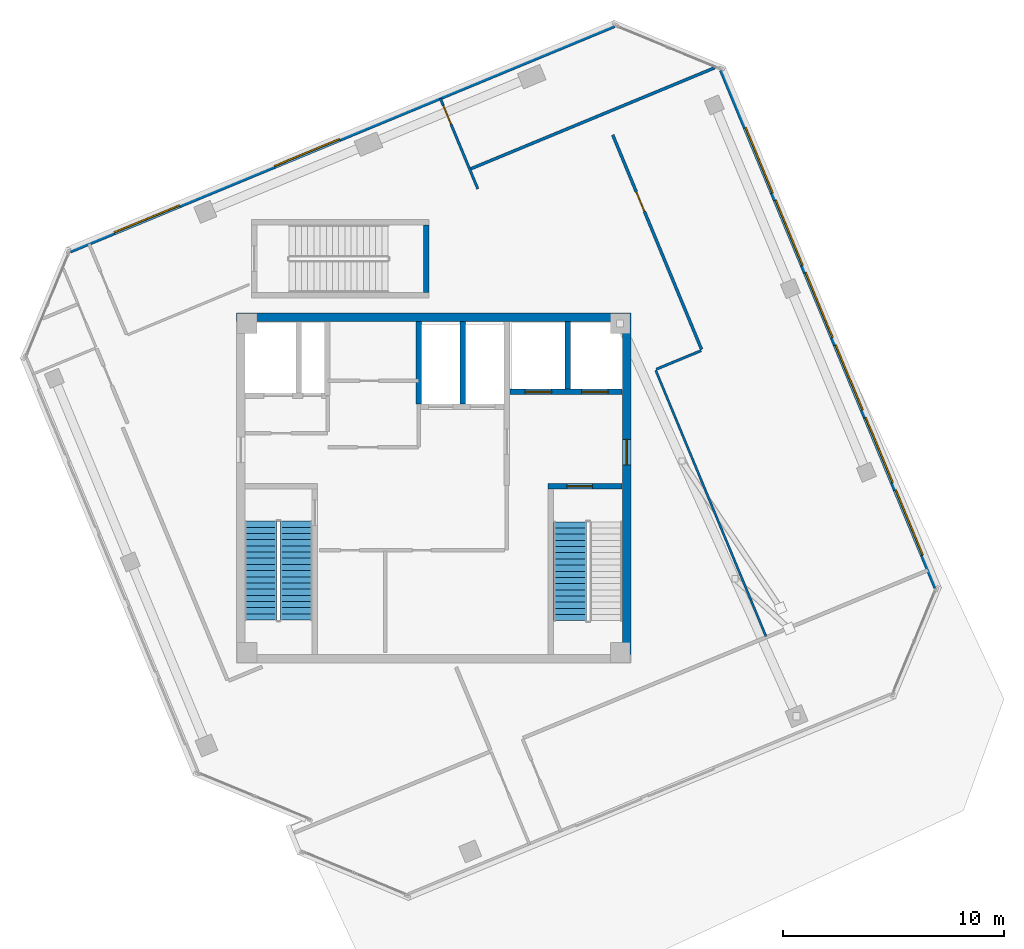
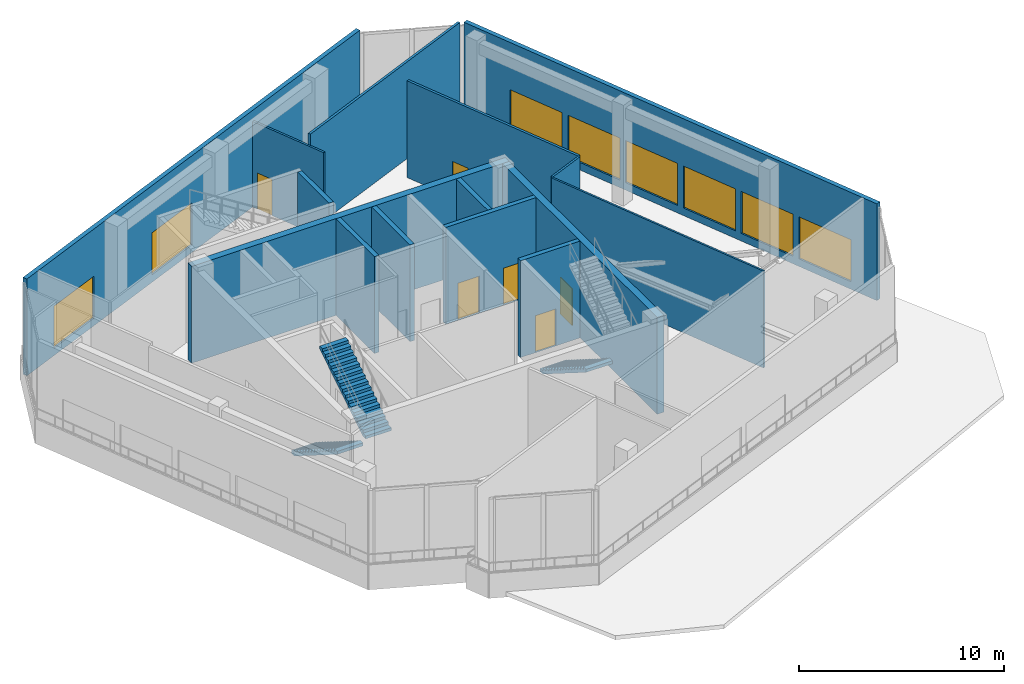
# One storey, part 9 of 16: 15 walls, 8 windows, 6 doors, 3 stair flights, 14 openings, 2 elements without a shape of their own.
"""IFC4 building model written with IfcOpenShell, lengths in metres."""

from ifc_helpers import new_model, si_unit, direction, frame, frame_2d, origin, place, context, subcontext, project, spatial, polyline, rectangle, outline, extrude, source, transform, mapped, material, layer, layer_set, type_object, element, fill, aggregate, save


model = new_model("IFC4")

# Units and contexts
model_context = context("Model", 3, precision=1e-05, world=origin(), true_north=direction((0.0, 1.0)))
body_context = subcontext(model_context, "Body", "Model", "MODEL_VIEW")
ifc_project = project(units=[si_unit("LENGTHUNIT", "METRE"), si_unit("AREAUNIT", "SQUARE_METRE"), si_unit("VOLUMEUNIT", "CUBIC_METRE"), si_unit("PLANEANGLEUNIT", "RADIAN"), si_unit("MASSUNIT", "GRAM", prefix="KILO")], contexts=[model_context])

# Site, building, storey
site_placement = place(None, origin())
site = spatial("IfcSite", under=ifc_project, at=site_placement, CompositionType="ELEMENT")
building_placement = place(site_placement, origin())
building = spatial("IfcBuilding", under=site, at=building_placement, Name="Torre Montelarca", CompositionType="ELEMENT")
storey_placement = place(building_placement, frame((0.0, 0.0, 349.199951171875)))
storey = spatial("IfcBuildingStorey", under=building, at=storey_placement, Name="L79", CompositionType="ELEMENT", Elevation=349.199951171875)

# Wall, opening, door
ifc_material_1 = material(Name="Concrete C40/50", Category="concrete")
ifc_layer_1 = layer(ifc_material_1, 0.25, Name="Concrete C40/50", Category="concrete")
ifc_layer_set_1 = layer_set([ifc_layer_1], Name="Concrete C40/50")
wall_type_1 = type_object("IfcWallType", Name="CW-SHAFT-250", PredefinedType="SHEAR", material=ifc_layer_set_1)
wall_1_placement = place(storey_placement, frame((23.18994140625, 32.074951171875, 0.0), z_axis=(0.0, 0.0, 1.0), x_axis=(1.0, 0.0, 0.0)))
wall_1 = element("IfcWall", 1, at=wall_1_placement, inside=storey, type_object=wall_type_1, Name="L79 Core Shear Wall SH-ST2-N", PredefinedType="SHEAR", context=body_context, shape_type="SweptSolid", body=[
    extrude(rectangle(XDim=3.35009765625, YDim=0.25, at=frame_2d((1.675048828125, 0.0))), origin(), (0.0, 0.0, 1.0), 5.760009765625),
])
opening_1_placement = place(wall_1_placement, frame((0.85009765625, 0.0, 0.0)))
opening_1 = element("IfcOpeningElement", 2, at=opening_1_placement, cuts=wall_1, Name="Opening FD-ST1", PredefinedType="OPENING", context=body_context, shape_type="SweptSolid", body=[
    extrude(rectangle(XDim=1.14990234375, YDim=2.199951171875, at=frame_2d((0.574951171875, 1.10009765625))), frame((0.0, 0.135009765625, 0.0), z_axis=(0.0, -1.0, 0.0), x_axis=(1.0, 0.0, 0.0)), (0.0, 0.0, 1.0), 0.27001953125),
])
ifc_material_2 = material(Name="Galvanized steel fire door", Category="steel")
door_type_1 = type_object("IfcDoorType", Name="DR-STAIR-115", OperationType="NOTDEFINED", PredefinedType="DOOR", material=ifc_material_2)
shared_shape_1 = source(origin(), body_context, "Body", "SweptSolid", [
    extrude(rectangle(XDim=1.14990234375, YDim=2.199951171875, at=frame_2d((0.574951171875, 1.10009765625))), frame((0.0, 0.02490234375, 0.0), z_axis=(0.0, -1.0, 0.0), x_axis=(1.0, 0.0, 0.0)), (0.0, 0.0, 1.0), 0.050048828125),
])
door_1_placement = place(opening_1_placement, origin())
door_1 = element("IfcDoor", 3, at=door_1_placement, inside=storey, type_object=door_type_1, Name="L79 Exit Stair ST2 Fire Door", OperationType="SINGLE_SWING_RIGHT", OverallHeight=2.199951171875, OverallWidth=1.14990234375, PredefinedType="DOOR", context=body_context, shape_type="MappedRepresentation", body=[
    mapped(shared_shape_1, transform((0.0, 0.0, 0.0), scale=1.0)),
])
fill(opening_1, door_1)

# Wall, openings, doors
wall_2_placement = place(storey_placement, frame((21.449951171875, 36.35009765625, 0.0), z_axis=(0.0, 0.0, 1.0), x_axis=(1.0, 0.0, 0.0)))
wall_2 = element("IfcWall", 4, at=wall_2_placement, inside=storey, type_object=wall_type_1, Name="L79 Core Shear Wall SH-FF-S", PredefinedType="SHEAR", context=body_context, shape_type="SweptSolid", body=[
    extrude(rectangle(XDim=5.090087890625, YDim=0.25, at=frame_2d((2.544921875, 0.0))), origin(), (0.0, 0.0, 1.0), 5.760009765625),
])
opening_2_placement = place(wall_2_placement, frame((0.699951171875, 0.0, 0.0)))
opening_2 = element("IfcOpeningElement", 5, at=opening_2_placement, cuts=wall_2, Name="Opening LD-120", PredefinedType="OPENING", context=body_context, shape_type="SweptSolid", body=[
    extrude(rectangle(XDim=1.199951171875, YDim=2.199951171875, at=frame_2d((0.60009765625, 1.10009765625))), frame((0.0, 0.135009765625, 0.0), z_axis=(0.0, -1.0, 0.0), x_axis=(1.0, 0.0, 0.0)), (0.0, 0.0, 1.0), 0.27001953125),
])
opening_3_placement = place(wall_2_placement, frame((3.25, 0.0, 0.0)))
opening_3 = element("IfcOpeningElement", 6, at=opening_3_placement, cuts=wall_2, Name="Opening LD-120", PredefinedType="OPENING", context=body_context, shape_type="SweptSolid", body=[
    extrude(rectangle(XDim=1.199951171875, YDim=2.199951171875, at=frame_2d((0.60009765625, 1.10009765625))), frame((0.0, 0.135009765625, 0.0), z_axis=(0.0, -1.0, 0.0), x_axis=(1.0, 0.0, 0.0)), (0.0, 0.0, 1.0), 0.27001953125),
])
ifc_material_3 = material(Name="Brushed stainless steel AISI 316", Category="steel")
door_type_2 = type_object("IfcDoorType", Name="DR-LIFT-120", OperationType="SLIDING_TO_RIGHT", PredefinedType="DOOR", material=ifc_material_3)
shared_shape_2 = source(origin(), body_context, "Body", "SweptSolid", [
    extrude(rectangle(XDim=1.199951171875, YDim=2.199951171875, at=frame_2d((0.60009765625, 1.10009765625))), frame((0.0, 0.02490234375, 0.0), z_axis=(0.0, -1.0, 0.0), x_axis=(1.0, 0.0, 0.0)), (0.0, 0.0, 1.0), 0.050048828125),
])
door_2_placement = place(opening_2_placement, origin())
door_2 = element("IfcDoor", 7, at=door_2_placement, inside=storey, type_object=door_type_2, Name="L79 Lift Landing Sliding Door FF-1", OperationType="SLIDING_TO_LEFT", OverallHeight=2.199951171875, OverallWidth=1.199951171875, PredefinedType="DOOR", context=body_context, shape_type="MappedRepresentation", body=[
    mapped(shared_shape_2, transform((0.0, 0.0, 0.0), scale=1.0)),
])
fill(opening_2, door_2)
door_3_placement = place(opening_3_placement, origin())
door_3 = element("IfcDoor", 8, at=door_3_placement, inside=storey, type_object=door_type_2, Name="L79 Lift Landing Sliding Door FF-2", OperationType="SLIDING_TO_RIGHT", OverallHeight=2.199951171875, OverallWidth=1.199951171875, PredefinedType="DOOR", context=body_context, shape_type="MappedRepresentation", body=[
    mapped(shared_shape_2, transform((0.0, 0.0, 0.0), scale=1.0)),
])
fill(opening_3, door_3)

# Walls
wall_3_placement = place(storey_placement, frame((24.080078125, 36.47998046875, 0.0), z_axis=(0.0, 0.0, 1.0), x_axis=(0.0, 1.0, 0.0)))
element("IfcWall", 9, at=wall_3_placement, inside=storey, type_object=wall_type_1, Name="L79 Core Shear Wall SH-FF-M", PredefinedType="SHEAR", context=body_context, shape_type="SweptSolid", body=[
    extrude(rectangle(XDim=3.06005859375, YDim=0.25, at=frame_2d((1.530029296875, 0.0))), origin(), (0.0, 0.0, 1.0), 5.760009765625),
])
for number, where, z_axis, x_axis, name in (
    (10, (17.320068359375, 35.81005859375, 0.0), (0.0, 0.0, 1.0), (0.0, 1.0, 0.0), "L79 Core Shear Wall SH-PLH-W"),
    (11, (19.320068359375, 35.81005859375, 0.0), (0.0, 0.0, 1.0), (0.0, 1.0, 0.0), "L79 Core Shear Wall SH-PLH-M"),
):
    element("IfcWall", number, at=place(storey_placement, frame(where, z_axis=z_axis, x_axis=x_axis)), inside=storey, type_object=wall_type_1, Name=name, PredefinedType="SHEAR", context=body_context, shape_type="SweptSolid", body=[
        extrude(rectangle(XDim=3.72998046875, YDim=0.25, at=frame_2d((1.864990234375, 0.0))), origin(), (0.0, 0.0, 1.0), 5.760009765625),
    ])
wall_4_placement = place(storey_placement, frame((17.675048828125, 40.85009765625, 0.0), z_axis=(0.0, 0.0, 1.0), x_axis=(0.0, 1.0, 0.0)))
element("IfcWall", 12, at=wall_4_placement, inside=storey, type_object=wall_type_1, Name="L79 Core Shear Wall SH-ST5-E", PredefinedType="SHEAR", context=body_context, shape_type="SweptSolid", body=[
    extrude(rectangle(XDim=3.06982421875, YDim=0.25, at=frame_2d((1.534912109375, 0.0))), origin(), (0.0, 0.0, 1.0), 5.760009765625),
])

# Wall, opening, door
ifc_layer_2 = layer(ifc_material_1, 0.3798828125, Name="Concrete C40/50", Category="concrete")
ifc_layer_set_2 = layer_set([ifc_layer_2], Name="Concrete C40/50")
wall_type_2 = type_object("IfcWallType", Name="CW-SHEAR-380", PredefinedType="SHEAR", material=ifc_layer_set_2)
wall_5_placement = place(storey_placement, frame((26.739990234375, 24.449951171875, 0.0), z_axis=(0.0, 0.0, 1.0), x_axis=(0.0, 1.0, 0.0)))
wall_5 = element("IfcWall", 13, at=wall_5_placement, inside=storey, type_object=wall_type_2, Name="L79 Core Shear Wall CW-E", PredefinedType="SHEAR", context=body_context, shape_type="SweptSolid", body=[
    extrude(rectangle(XDim=15.10009765625, YDim=0.3798828125, at=frame_2d((7.550048828125, 0.0))), origin(), (0.0, 0.0, 1.0), 5.760009765625),
])
opening_4_placement = place(wall_5_placement, frame((8.60009765625, 0.0, 0.0)))
opening_4 = element("IfcOpeningElement", 14, at=opening_4_placement, cuts=wall_5, Name="Opening FD-LB1", PredefinedType="OPENING", context=body_context, shape_type="SweptSolid", body=[
    extrude(rectangle(XDim=1.14990234375, YDim=2.199951171875, at=frame_2d((0.574951171875, 1.10009765625))), frame((0.0, 0.199951171875, 0.0), z_axis=(0.0, -1.0, 0.0), x_axis=(1.0, 0.0, 0.0)), (0.0, 0.0, 1.0), 0.39990234375),
])
ifc_material_4 = material(Name="Acoustic timber-veneered fire door", Category="wood")
door_type_3 = type_object("IfcDoorType", Name="DR-LOBBY-115", OperationType="NOTDEFINED", PredefinedType="DOOR", material=ifc_material_4)
shared_shape_3 = source(origin(), body_context, "Body", "SweptSolid", [
    extrude(rectangle(XDim=1.14990234375, YDim=2.199951171875, at=frame_2d((0.574951171875, 1.10009765625))), frame((0.0, 0.02490234375, 0.0), z_axis=(0.0, -1.0, 0.0), x_axis=(1.0, 0.0, 0.0)), (0.0, 0.0, 1.0), 0.050048828125),
])
door_4_placement = place(opening_4_placement, origin())
door_4 = element("IfcDoor", 15, at=door_4_placement, inside=storey, type_object=door_type_3, Name="L79 Firefighting Lift Lobby Corridor Fire Door", OperationType="SINGLE_SWING_RIGHT", OverallHeight=2.199951171875, OverallWidth=1.14990234375, PredefinedType="DOOR", context=body_context, shape_type="MappedRepresentation", body=[
    mapped(shared_shape_3, transform((0.0, 0.0, 0.0), scale=1.0)),
])
fill(opening_4, door_4)

# Wall
wall_6_placement = place(storey_placement, frame((9.070068359375, 39.739990234375, 0.0), z_axis=(0.0, 0.0, 1.0), x_axis=(1.0, 0.0, 0.0)))
element("IfcWall", 16, at=wall_6_placement, inside=storey, type_object=wall_type_2, Name="L79 Core Shear Wall CW-N1", PredefinedType="SHEAR", context=body_context, shape_type="SweptSolid", body=[
    extrude(rectangle(XDim=17.85986328125, YDim=0.3798828125, at=frame_2d((8.929931640625, 0.0))), origin(), (0.0, 0.0, 1.0), 5.760009765625),
])

# Wall, openings, windows
ifc_material_5 = material(Name="Architectural perforated terracotta ceramic", Category="masonry")
ifc_layer_3 = layer(ifc_material_5, 0.239990234375, Name="Architectural perforated terracotta ceramic", Category="masonry")
ifc_layer_set_3 = layer_set([ifc_layer_3], Name="Architectural perforated terracotta ceramic")
wall_type_3 = type_object("IfcWallType", Name="EW-CROWN-240", PredefinedType="SOLIDWALL", material=ifc_layer_set_3)
wall_7_placement = place(storey_placement, frame((40.7607421875, 27.49365234375, 0.0), z_axis=(0.0, 0.0, 1.0), x_axis=(-0.382690925775, 0.923876428604, 0.0)))
wall_7 = element("IfcWall", 17, at=wall_7_placement, inside=storey, type_object=wall_type_3, Name="L79 Illuminated Damper Gallery Lantern Wall E08", PredefinedType="SOLIDWALL", context=body_context, shape_type="SweptSolid", body=[
    extrude(rectangle(XDim=25.368408203125, YDim=0.239990234375, at=frame_2d((12.68408203125, 0.0))), origin(), (0.0, 0.0, 1.0), 5.760009765625),
])
opening_5_placement = place(wall_7_placement, frame((1.593994140625, 0.0, 0.449951171875)))
opening_5 = element("IfcOpeningElement", 18, at=opening_5_placement, cuts=wall_7, Name="Opening W-07", PredefinedType="OPENING", context=body_context, shape_type="SweptSolid", body=[
    extrude(rectangle(XDim=3.199951171875, YDim=2.5, at=frame_2d((1.60009765625, 1.25))), frame((0.0, 0.1298828125, 0.0), z_axis=(0.0, -1.0, 0.0), x_axis=(1.0, 0.0, 0.0)), (0.0, 0.0, 1.0), 0.260009765625),
])
opening_6_placement = place(wall_7_placement, frame((5.14404296875, 0.0, 0.449951171875)))
opening_6 = element("IfcOpeningElement", 19, at=opening_6_placement, cuts=wall_7, Name="Opening W-07", PredefinedType="OPENING", context=body_context, shape_type="SweptSolid", body=[
    extrude(rectangle(XDim=3.199951171875, YDim=2.5, at=frame_2d((1.60009765625, 1.25))), frame((0.0, 0.1298828125, 0.0), z_axis=(0.0, -1.0, 0.0), x_axis=(1.0, 0.0, 0.0)), (0.0, 0.0, 1.0), 0.260009765625),
])
opening_7_placement = place(wall_7_placement, frame((8.694091796875, 0.0, 0.449951171875)))
opening_7 = element("IfcOpeningElement", 20, at=opening_7_placement, cuts=wall_7, Name="Opening W-07", PredefinedType="OPENING", context=body_context, shape_type="SweptSolid", body=[
    extrude(rectangle(XDim=3.199951171875, YDim=2.5, at=frame_2d((1.60009765625, 1.25))), frame((0.0, 0.1298828125, 0.0), z_axis=(0.0, -1.0, 0.0), x_axis=(1.0, 0.0, 0.0)), (0.0, 0.0, 1.0), 0.260009765625),
])
opening_8_placement = place(wall_7_placement, frame((12.243896484375, 0.0, 0.449951171875)))
opening_8 = element("IfcOpeningElement", 21, at=opening_8_placement, cuts=wall_7, Name="Opening W-07", PredefinedType="OPENING", context=body_context, shape_type="SweptSolid", body=[
    extrude(rectangle(XDim=3.199951171875, YDim=2.5, at=frame_2d((1.60009765625, 1.25))), frame((0.0, 0.1298828125, 0.0), z_axis=(0.0, -1.0, 0.0), x_axis=(1.0, 0.0, 0.0)), (0.0, 0.0, 1.0), 0.260009765625),
])
opening_9_placement = place(wall_7_placement, frame((15.7939453125, 0.0, 0.449951171875)))
opening_9 = element("IfcOpeningElement", 22, at=opening_9_placement, cuts=wall_7, Name="Opening W-07", PredefinedType="OPENING", context=body_context, shape_type="SweptSolid", body=[
    extrude(rectangle(XDim=3.199951171875, YDim=2.5, at=frame_2d((1.60009765625, 1.25))), frame((0.0, 0.1298828125, 0.0), z_axis=(0.0, -1.0, 0.0), x_axis=(1.0, 0.0, 0.0)), (0.0, 0.0, 1.0), 0.260009765625),
])
opening_10_placement = place(wall_7_placement, frame((19.343994140625, 0.0, 0.449951171875)))
opening_10 = element("IfcOpeningElement", 23, at=opening_10_placement, cuts=wall_7, Name="Opening W-07", PredefinedType="OPENING", context=body_context, shape_type="SweptSolid", body=[
    extrude(rectangle(XDim=3.199951171875, YDim=2.5, at=frame_2d((1.60009765625, 1.25))), frame((0.0, 0.1298828125, 0.0), z_axis=(0.0, -1.0, 0.0), x_axis=(1.0, 0.0, 0.0)), (0.0, 0.0, 1.0), 0.260009765625),
])
ifc_material_6 = material(Name="Insulated low-E laminated glass in aluminium frame", Category="aluminium")
window_type = type_object("IfcWindowType", Name="WIN-W07", PartitioningType="TRIPLE_PANEL_VERTICAL", PredefinedType="WINDOW", material=ifc_material_6)
shared_shape_4 = source(origin(), body_context, "Body", "SweptSolid", [
    extrude(rectangle(XDim=3.199951171875, YDim=2.5, at=frame_2d((1.60009765625, 1.25))), frame((0.0, 0.030029296875, 0.0), z_axis=(0.0, -1.0, 0.0), x_axis=(1.0, 0.0, 0.0)), (0.0, 0.0, 1.0), 0.06005859375),
])
window_1_placement = place(opening_5_placement, origin())
window_1 = element("IfcWindow", 24, at=window_1_placement, inside=storey, type_object=window_type, Name="L79 Glowing Damper Lantern Ribbon Window E08-1", OverallHeight=2.5, OverallWidth=3.199951171875, PartitioningType="TRIPLE_PANEL_VERTICAL", PredefinedType="WINDOW", context=body_context, shape_type="MappedRepresentation", body=[
    mapped(shared_shape_4, transform((0.0, 0.0, 0.0), scale=1.0)),
])
fill(opening_5, window_1)
window_2_placement = place(opening_6_placement, origin())
window_2 = element("IfcWindow", 25, at=window_2_placement, inside=storey, type_object=window_type, Name="L79 Glowing Damper Lantern Ribbon Window E08-2", OverallHeight=2.5, OverallWidth=3.199951171875, PartitioningType="TRIPLE_PANEL_VERTICAL", PredefinedType="WINDOW", context=body_context, shape_type="MappedRepresentation", body=[
    mapped(shared_shape_4, transform((0.0, 0.0, 0.0), scale=1.0)),
])
fill(opening_6, window_2)
window_3_placement = place(opening_7_placement, origin())
window_3 = element("IfcWindow", 26, at=window_3_placement, inside=storey, type_object=window_type, Name="L79 Glowing Damper Lantern Ribbon Window E08-3", OverallHeight=2.5, OverallWidth=3.199951171875, PartitioningType="TRIPLE_PANEL_VERTICAL", PredefinedType="WINDOW", context=body_context, shape_type="MappedRepresentation", body=[
    mapped(shared_shape_4, transform((0.0, 0.0, 0.0), scale=1.0)),
])
fill(opening_7, window_3)
window_4_placement = place(opening_8_placement, origin())
window_4 = element("IfcWindow", 27, at=window_4_placement, inside=storey, type_object=window_type, Name="L79 Glowing Damper Lantern Ribbon Window E08-4", OverallHeight=2.5, OverallWidth=3.199951171875, PartitioningType="TRIPLE_PANEL_VERTICAL", PredefinedType="WINDOW", context=body_context, shape_type="MappedRepresentation", body=[
    mapped(shared_shape_4, transform((0.0, 0.0, 0.0), scale=1.0)),
])
fill(opening_8, window_4)
window_5_placement = place(opening_9_placement, origin())
window_5 = element("IfcWindow", 28, at=window_5_placement, inside=storey, type_object=window_type, Name="L79 Glowing Damper Lantern Ribbon Window E08-5", OverallHeight=2.5, OverallWidth=3.199951171875, PartitioningType="TRIPLE_PANEL_VERTICAL", PredefinedType="WINDOW", context=body_context, shape_type="MappedRepresentation", body=[
    mapped(shared_shape_4, transform((0.0, 0.0, 0.0), scale=1.0)),
])
fill(opening_9, window_5)
window_6_placement = place(opening_10_placement, origin())
window_6 = element("IfcWindow", 29, at=window_6_placement, inside=storey, type_object=window_type, Name="L79 Glowing Damper Lantern Ribbon Window E08-6", OverallHeight=2.5, OverallWidth=3.199951171875, PartitioningType="TRIPLE_PANEL_VERTICAL", PredefinedType="WINDOW", context=body_context, shape_type="MappedRepresentation", body=[
    mapped(shared_shape_4, transform((0.0, 0.0, 0.0), scale=1.0)),
])
fill(opening_10, window_6)

wall_8_placement = place(storey_placement, frame((26.17138671875, 52.95263671875, 0.0), z_axis=(0.0, 0.0, 1.0), x_axis=(-0.923878251708, -0.382686524484, 0.0)))
wall_8 = element("IfcWall", 30, at=wall_8_placement, inside=storey, type_object=wall_type_3, Name="L79 Illuminated Damper Gallery Lantern Wall E10", PredefinedType="SOLIDWALL", context=body_context, shape_type="SweptSolid", body=[
    extrude(rectangle(XDim=26.668212890625, YDim=0.239990234375, at=frame_2d((13.333984375, 0.0))), origin(), (0.0, 0.0, 1.0), 5.760009765625),
])
opening_11_placement = place(wall_8_placement, frame((13.4541015625, 0.0, 0.449951171875)))
opening_11 = element("IfcOpeningElement", 31, at=opening_11_placement, cuts=wall_8, Name="Opening W-07", PredefinedType="OPENING", context=body_context, shape_type="SweptSolid", body=[
    extrude(rectangle(XDim=3.199951171875, YDim=2.5, at=frame_2d((1.60009765625, 1.25))), frame((0.0, 0.1298828125, 0.0), z_axis=(0.0, -1.0, 0.0), x_axis=(1.0, 0.0, 0.0)), (0.0, 0.0, 1.0), 0.260009765625),
])
opening_12_placement = place(wall_8_placement, frame((21.303955078125, 0.0, 0.449951171875)))
opening_12 = element("IfcOpeningElement", 32, at=opening_12_placement, cuts=wall_8, Name="Opening W-07", PredefinedType="OPENING", context=body_context, shape_type="SweptSolid", body=[
    extrude(rectangle(XDim=3.199951171875, YDim=2.5, at=frame_2d((1.60009765625, 1.25))), frame((0.0, 0.1298828125, 0.0), z_axis=(0.0, -1.0, 0.0), x_axis=(1.0, 0.0, 0.0)), (0.0, 0.0, 1.0), 0.260009765625),
])
window_7_placement = place(opening_11_placement, origin())
window_7 = element("IfcWindow", 33, at=window_7_placement, inside=storey, type_object=window_type, Name="L79 Glowing Damper Lantern Ribbon Window E10-1", OverallHeight=2.5, OverallWidth=3.199951171875, PartitioningType="TRIPLE_PANEL_VERTICAL", PredefinedType="WINDOW", context=body_context, shape_type="MappedRepresentation", body=[
    mapped(shared_shape_4, transform((0.0, 0.0, 0.0), scale=1.0)),
])
fill(opening_11, window_7)
window_8_placement = place(opening_12_placement, origin())
window_8 = element("IfcWindow", 34, at=window_8_placement, inside=storey, type_object=window_type, Name="L79 Glowing Damper Lantern Ribbon Window E10-2", OverallHeight=2.5, OverallWidth=3.199951171875, PartitioningType="TRIPLE_PANEL_VERTICAL", PredefinedType="WINDOW", context=body_context, shape_type="MappedRepresentation", body=[
    mapped(shared_shape_4, transform((0.0, 0.0, 0.0), scale=1.0)),
])
fill(opening_12, window_8)

# Walls
ifc_material_7 = material(Name="Acoustic laminated glass partition", Category="glass")
ifc_layer_4 = layer(ifc_material_7, 0.10009765625, Name="Acoustic laminated glass partition", Category="glass")
ifc_layer_set_4 = layer_set([ifc_layer_4], Name="Acoustic laminated glass partition")
wall_type_4 = type_object("IfcWallType", Name="PW-GLAZ-100", PredefinedType="PARTITIONING", material=ifc_layer_set_4)
wall_9_placement = place(storey_placement, frame((28.06103515625, 37.326171875, 0.0), z_axis=(0.0, 0.0, 1.0), x_axis=(0.382702889353, -0.923871472923, 0.0)))
element("IfcWall", 35, at=wall_9_placement, inside=storey, type_object=wall_type_4, Name="L79 Interior Partition W-L79-NBOT3", PredefinedType="PARTITIONING", context=body_context, shape_type="SweptSolid", body=[
    extrude(rectangle(XDim=13.0400390625, YDim=0.10009765625, at=frame_2d((6.52001953125, 0.0))), origin(), (0.0, 0.0, 1.0), 5.760009765625),
])
ifc_material_8 = material(Name="Gypsum plasterboard on steel stud", Category="steel")
ifc_layer_5 = layer(ifc_material_8, 0.114990234375, Name="Gypsum plasterboard on steel stud", Category="steel")
ifc_layer_set_5 = layer_set([ifc_layer_5], Name="Gypsum plasterboard on steel stud")
wall_type_5 = type_object("IfcWallType", Name="PW-PART-115", PredefinedType="PARTITIONING", material=ifc_layer_set_5)
wall_10_placement = place(storey_placement, frame((28.082763671875, 37.37841796875, 0.0), z_axis=(0.0, 0.0, 1.0), x_axis=(0.923853160736, 0.382747093259, 0.0)))
element("IfcWall", 36, at=wall_10_placement, inside=storey, type_object=wall_type_5, Name="L79 Interior Partition W-L79-NWW3", PredefinedType="PARTITIONING", context=body_context, shape_type="SweptSolid", body=[
    extrude(rectangle(XDim=2.199951171875, YDim=0.114990234375, at=frame_2d((1.10009765625, 0.0))), origin(), (0.0, 0.0, 1.0), 5.760009765625),
])

# Wall, opening, door
wall_11_placement = place(storey_placement, frame((18.30615234375, 49.640380859375, 0.0), z_axis=(0.0, 0.0, 1.0), x_axis=(0.382708743564, -0.923869047863, 0.0)))
wall_11 = element("IfcWall", 37, at=wall_11_placement, inside=storey, type_object=wall_type_5, Name="L79 Interior Partition W-L79-WPKN", PredefinedType="PARTITIONING", context=body_context, shape_type="SweptSolid", body=[
    extrude(rectangle(XDim=4.4296875, YDim=0.114990234375, at=frame_2d((2.21484375, 0.0))), origin(), (0.0, 0.0, 1.0), 5.094970703125),
])
opening_13_placement = place(wall_11_placement, frame((0.35009765625, 0.0, 0.0)))
opening_13 = element("IfcOpeningElement", 38, at=opening_13_placement, cuts=wall_11, Name="Opening ID-090", PredefinedType="OPENING", context=body_context, shape_type="SweptSolid", body=[
    extrude(rectangle(XDim=0.89990234375, YDim=2.14990234375, at=frame_2d((0.449951171875, 1.074951171875))), frame((0.0, 0.0673828125, 0.0), z_axis=(0.0, -1.0, 0.0), x_axis=(1.0, 0.0, 0.0)), (0.0, 0.0, 1.0), 0.135009765625),
])
ifc_material_9 = material(Name="Hardwood acoustic timber veneer", Category="wood")
door_type_4 = type_object("IfcDoorType", Name="DR-INT-090", OperationType="NOTDEFINED", PredefinedType="DOOR", material=ifc_material_9)
shared_shape_5 = source(origin(), body_context, "Body", "SweptSolid", [
    extrude(rectangle(XDim=0.89990234375, YDim=2.14990234375, at=frame_2d((0.449951171875, 1.074951171875))), frame((0.0, 0.02490234375, 0.0), z_axis=(0.0, -1.0, 0.0), x_axis=(1.0, 0.0, 0.0)), (0.0, 0.0, 1.0), 0.050048828125),
])
door_5_placement = place(opening_13_placement, origin())
door_5 = element("IfcDoor", 39, at=door_5_placement, inside=storey, type_object=door_type_4, Name="L79 Interior Door 11", OperationType="SINGLE_SWING_RIGHT", OverallHeight=2.14990234375, OverallWidth=0.89990234375, PredefinedType="DOOR", context=body_context, shape_type="MappedRepresentation", body=[
    mapped(shared_shape_5, transform((0.0, 0.0, 0.0), scale=1.0)),
])
fill(opening_13, door_5)

ifc_layer_6 = layer(ifc_material_8, 0.135009765625, Name="Gypsum plasterboard on steel stud", Category="steel")
ifc_layer_set_6 = layer_set([ifc_layer_6], Name="Gypsum plasterboard on steel stud")
wall_type_6 = type_object("IfcWallType", Name="PW-PART-135", PredefinedType="PARTITIONING", material=ifc_layer_set_6)
wall_12_placement = place(storey_placement, frame((26.111083984375, 47.991943359375, 0.0), z_axis=(0.0, 0.0, 1.0), x_axis=(0.382686563741, -0.923878235447, 0.0)))
wall_12 = element("IfcWall", 40, at=wall_12_placement, inside=storey, type_object=wall_type_6, Name="L79 Interior Partition W-L79-NBOT", PredefinedType="PARTITIONING", context=body_context, shape_type="SweptSolid", body=[
    extrude(rectangle(XDim=10.52001953125, YDim=0.135009765625, at=frame_2d((5.260009765625, 0.0))), origin(), (0.0, 0.0, 1.0), 5.760009765625),
])
opening_14_placement = place(wall_12_placement, frame((2.800048828125, 0.0, 0.0)))
opening_14 = element("IfcOpeningElement", 41, at=opening_14_placement, cuts=wall_12, Name="Opening ID-095", PredefinedType="OPENING", context=body_context, shape_type="SweptSolid", body=[
    extrude(rectangle(XDim=0.949951171875, YDim=2.14990234375, at=frame_2d((0.47509765625, 1.074951171875))), frame((0.0, 0.07763671875, 0.0), z_axis=(0.0, -1.0, 0.0), x_axis=(1.0, 0.0, 0.0)), (0.0, 0.0, 1.0), 0.155029296875),
])
door_type_5 = type_object("IfcDoorType", Name="DR-INT-095", OperationType="NOTDEFINED", PredefinedType="DOOR", material=ifc_material_9)
shared_shape_6 = source(origin(), body_context, "Body", "SweptSolid", [
    extrude(rectangle(XDim=0.949951171875, YDim=2.14990234375, at=frame_2d((0.47509765625, 1.074951171875))), frame((0.0, 0.02490234375, 0.0), z_axis=(0.0, -1.0, 0.0), x_axis=(1.0, 0.0, 0.0)), (0.0, 0.0, 1.0), 0.050048828125),
])
door_6_placement = place(opening_14_placement, origin())
door_6 = element("IfcDoor", 42, at=door_6_placement, inside=storey, type_object=door_type_5, Name="L79 Interior Door 09", OperationType="SINGLE_SWING_LEFT", OverallHeight=2.14990234375, OverallWidth=0.949951171875, PredefinedType="DOOR", context=body_context, shape_type="MappedRepresentation", body=[
    mapped(shared_shape_6, transform((0.0, 0.0, 0.0), scale=1.0)),
])
fill(opening_14, door_6)

# Wall
wall_13_placement = place(storey_placement, frame((19.6708984375, 46.449951171875, 0.0), z_axis=(0.0, 0.0, 1.0), x_axis=(0.923879139167, 0.38268438198, 0.0)))
element("IfcWall", 43, at=wall_13_placement, inside=storey, type_object=wall_type_6, Name="L79 Interior Partition W-L79-WPKE2", PredefinedType="PARTITIONING", context=body_context, shape_type="SweptSolid", body=[
    extrude(rectangle(XDim=11.97216796875, YDim=0.135009765625, at=frame_2d((5.986083984375, 0.0))), origin(), (0.0, 0.0, 1.0), 5.760009765625),
])

# Stair, stair flights
stair_type_1 = type_object("IfcStairType", Name="ST-CORE-ST1", PredefinedType="HALF_TURN_STAIR", material=ifc_material_1)
stair_1_placement = place(storey_placement, origin())
stair_1 = element("IfcStair", 44, at=stair_1_placement, inside=storey, type_object=stair_type_1, Name="L79 Protected Exit Stair ST1", PredefinedType="HALF_TURN_STAIR")
stair_flight_type_1 = type_object("IfcStairFlightType", Name="SFL-CORE-ST1", PredefinedType="STRAIGHT", material=ifc_material_1)
stair_flight_1_placement = place(storey_placement, frame((10.175048828125, 30.5, 0.0), z_axis=(0.0, 0.0, 1.0), x_axis=(0.0, -1.0, 0.0)))
stair_flight_1 = element("IfcStairFlight", 45, at=stair_flight_1_placement, type_object=stair_flight_type_1, Name="ST1 flight 1", NumberOfRisers=17, NumberOfTreads=16, PredefinedType="STRAIGHT", RiserHeight=0.176470588, TreadLength=0.28, context=body_context, shape_type="SweptSolid", body=[
    extrude(outline(polyline([(0.0, 0.0), (0.0, 0.176513671875), (0.280029296875, 0.176513671875), (0.280029296875, 0.35302734375), (0.56005859375, 0.35302734375), (0.56005859375, 0.529296875), (0.840087890625, 0.529296875), (0.840087890625, 0.705810546875), (1.1201171875, 0.705810546875), (1.1201171875, 0.88232421875), (1.39990234375, 0.88232421875), (1.39990234375, 1.058837890625), (1.679931640625, 1.058837890625), (1.679931640625, 1.2353515625), (1.9599609375, 1.2353515625), (1.9599609375, 1.411865234375), (2.239990234375, 1.411865234375), (2.239990234375, 1.588134765625), (2.52001953125, 1.588134765625), (2.52001953125, 1.7646484375), (2.800048828125, 1.7646484375), (2.800048828125, 1.941162109375), (3.080078125, 1.941162109375), (3.080078125, 2.11767578125), (3.360107421875, 2.11767578125), (3.360107421875, 2.294189453125), (3.639892578125, 2.294189453125), (3.639892578125, 2.470703125), (3.919921875, 2.470703125), (3.919921875, 2.64697265625), (4.199951171875, 2.64697265625), (4.199951171875, 2.823486328125), (4.47998046875, 2.823486328125), (4.47998046875, 3.0), (4.47998046875, 2.646240234375), (0.28125, 0.0), (0.0, 0.0)])), frame((0.0, 0.72509765625, 0.0), z_axis=(0.0, -1.0, 0.0), x_axis=(1.0, 0.0, 0.0)), (0.0, 0.0, 1.0), 1.449951171875),
])
stair_flight_2_placement = place(storey_placement, frame((11.77490234375, 26.02001953125, 3.0), z_axis=(0.0, 0.0, 1.0), x_axis=(0.0, 1.0, 0.0)))
stair_flight_2 = element("IfcStairFlight", 46, at=stair_flight_2_placement, type_object=stair_flight_type_1, Name="ST1 flight 2", NumberOfRisers=17, NumberOfTreads=16, PredefinedType="STRAIGHT", RiserHeight=0.176470588, TreadLength=0.28, context=body_context, shape_type="SweptSolid", body=[
    extrude(outline(polyline([(0.0, 0.0), (0.0, 0.176513671875), (0.280029296875, 0.176513671875), (0.280029296875, 0.35302734375), (0.56005859375, 0.35302734375), (0.56005859375, 0.529296875), (0.840087890625, 0.529296875), (0.840087890625, 0.705810546875), (1.1201171875, 0.705810546875), (1.1201171875, 0.88232421875), (1.39990234375, 0.88232421875), (1.39990234375, 1.058837890625), (1.679931640625, 1.058837890625), (1.679931640625, 1.2353515625), (1.9599609375, 1.2353515625), (1.9599609375, 1.411865234375), (2.239990234375, 1.411865234375), (2.239990234375, 1.588134765625), (2.52001953125, 1.588134765625), (2.52001953125, 1.7646484375), (2.800048828125, 1.7646484375), (2.800048828125, 1.941162109375), (3.080078125, 1.941162109375), (3.080078125, 2.11767578125), (3.360107421875, 2.11767578125), (3.360107421875, 2.294189453125), (3.639892578125, 2.294189453125), (3.639892578125, 2.470703125), (3.919921875, 2.470703125), (3.919921875, 2.64697265625), (4.199951171875, 2.64697265625), (4.199951171875, 2.823486328125), (4.47998046875, 2.823486328125), (4.47998046875, 3.0), (4.47998046875, 2.646240234375), (0.28125, 0.0), (0.0, 0.0)])), frame((0.0, 0.72509765625, 0.0), z_axis=(0.0, -1.0, 0.0), x_axis=(1.0, 0.0, 0.0)), (0.0, 0.0, 1.0), 1.449951171875),
])
aggregate(stair_1, [stair_flight_1, stair_flight_2])

# Stair, stair flight
stair_type_2 = type_object("IfcStairType", Name="ST-CORE-ST2", PredefinedType="HALF_TURN_STAIR", material=ifc_material_1)
stair_2_placement = place(storey_placement, origin())
stair_2 = element("IfcStair", 47, at=stair_2_placement, inside=storey, type_object=stair_type_2, Name="L79 Protected Exit Stair ST2", PredefinedType="HALF_TURN_STAIR")
stair_flight_type_2 = type_object("IfcStairFlightType", Name="SFL-CORE-ST2", PredefinedType="STRAIGHT", material=ifc_material_1)
stair_flight_3_placement = place(storey_placement, frame((24.179931640625, 30.469970703125, 0.0), z_axis=(0.0, 0.0, 1.0), x_axis=(0.0, -1.0, 0.0)))
stair_flight_3 = element("IfcStairFlight", 48, at=stair_flight_3_placement, type_object=stair_flight_type_2, Name="ST2 flight 1", NumberOfRisers=17, NumberOfTreads=16, PredefinedType="STRAIGHT", RiserHeight=0.176470588, TreadLength=0.28, context=body_context, shape_type="SweptSolid", body=[
    extrude(outline(polyline([(0.0, 0.0), (0.0, 0.176513671875), (0.280029296875, 0.176513671875), (0.280029296875, 0.35302734375), (0.56005859375, 0.35302734375), (0.56005859375, 0.529296875), (0.840087890625, 0.529296875), (0.840087890625, 0.705810546875), (1.1201171875, 0.705810546875), (1.1201171875, 0.88232421875), (1.39990234375, 0.88232421875), (1.39990234375, 1.058837890625), (1.679931640625, 1.058837890625), (1.679931640625, 1.2353515625), (1.9599609375, 1.2353515625), (1.9599609375, 1.411865234375), (2.239990234375, 1.411865234375), (2.239990234375, 1.588134765625), (2.52001953125, 1.588134765625), (2.52001953125, 1.7646484375), (2.800048828125, 1.7646484375), (2.800048828125, 1.941162109375), (3.080078125, 1.941162109375), (3.080078125, 2.11767578125), (3.360107421875, 2.11767578125), (3.360107421875, 2.294189453125), (3.639892578125, 2.294189453125), (3.639892578125, 2.470703125), (3.919921875, 2.470703125), (3.919921875, 2.64697265625), (4.199951171875, 2.64697265625), (4.199951171875, 2.823486328125), (4.47998046875, 2.823486328125), (4.47998046875, 3.0), (4.47998046875, 2.646240234375), (0.28125, 0.0), (0.0, 0.0)])), frame((0.0, 0.739990234375, 0.0), z_axis=(0.0, -1.0, 0.0), x_axis=(1.0, 0.0, 0.0)), (0.0, 0.0, 1.0), 1.47998046875),
])
aggregate(stair_2, [stair_flight_3])

save(model, "model.ifc")
